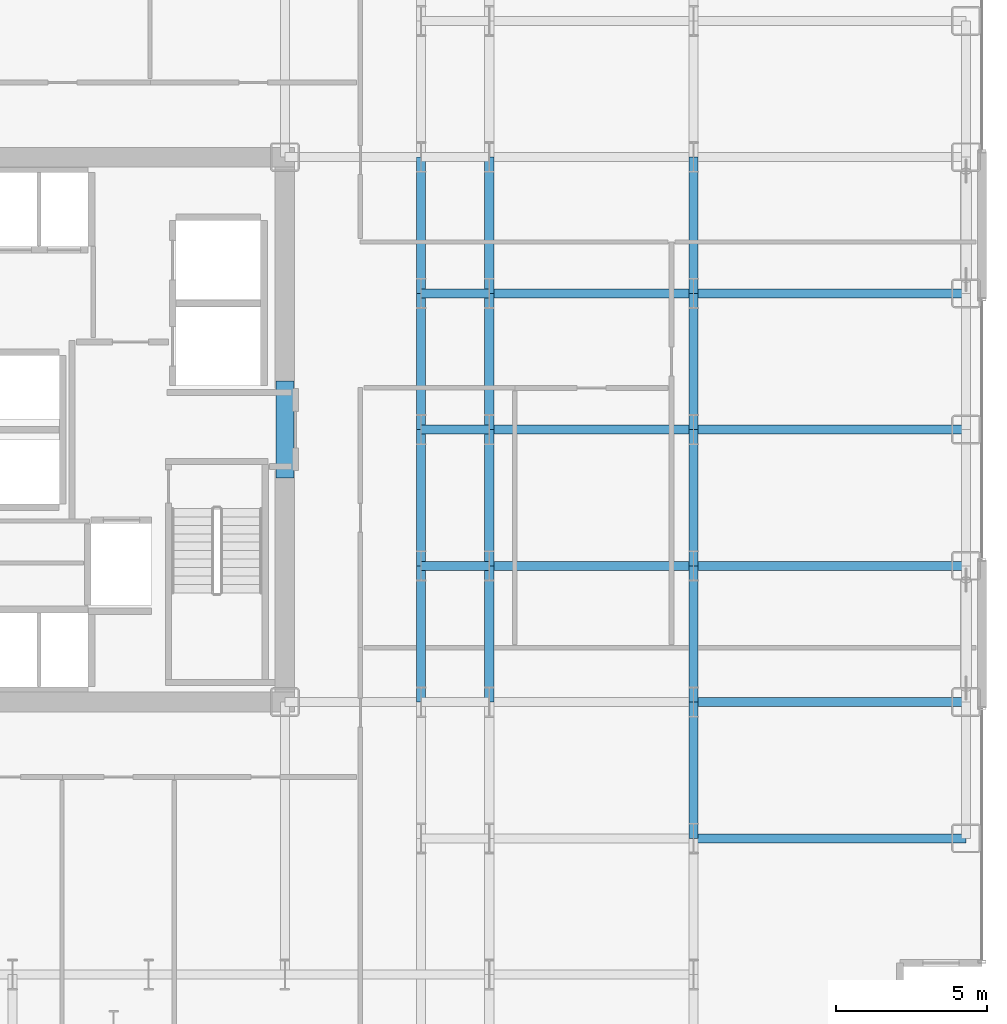
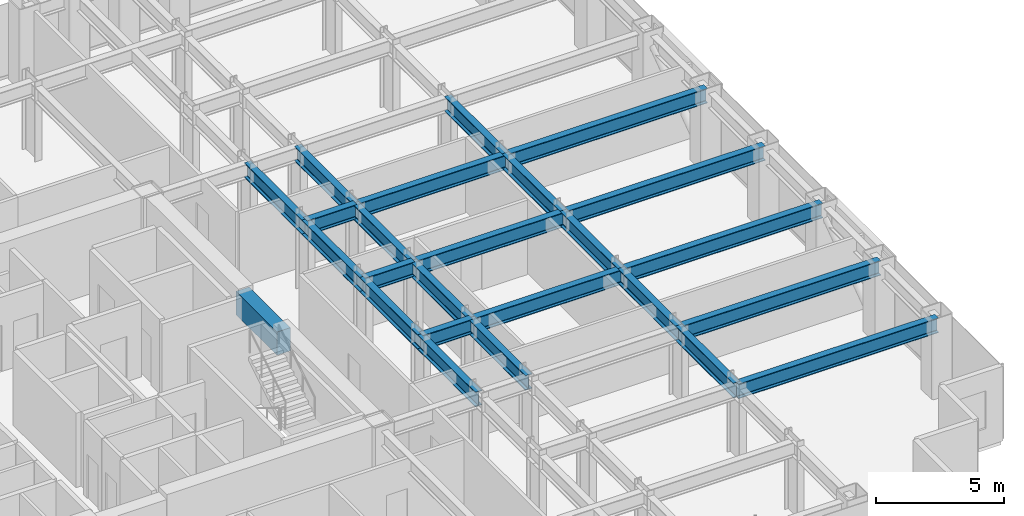
# One storey, part 10 of 29: 25 beams.
"""IFC4 building model written with IfcOpenShell, lengths in metres."""

from ifc_helpers import new_model, si_unit, direction, frame, origin, origin_2d, place, context, subcontext, project, spatial, rectangle, i_section, extrude, source, transform, mapped, material, material_profile, profile_set, type_object, element, save


model = new_model("IFC4")

# Units and contexts
model_context = context("Model", 3, precision=1e-05, world=origin(), true_north=direction((0.0, 1.0)))
body_context = subcontext(model_context, "Body", "Model", "MODEL_VIEW")
ifc_project = project(units=[si_unit("LENGTHUNIT", "METRE"), si_unit("AREAUNIT", "SQUARE_METRE"), si_unit("VOLUMEUNIT", "CUBIC_METRE"), si_unit("PLANEANGLEUNIT", "RADIAN"), si_unit("MASSUNIT", "GRAM", prefix="KILO")], contexts=[model_context])

# Site, building, storey
site_placement = place(None, origin())
site = spatial("IfcSite", under=ifc_project, at=site_placement, CompositionType="ELEMENT")
building_placement = place(site_placement, origin())
building = spatial("IfcBuilding", under=site, at=building_placement, Name="Nefas-Gora Pilgrimage Tower", CompositionType="ELEMENT")
storey_placement = place(building_placement, frame((0.0, 0.0, 44.39990234375)))
storey = spatial("IfcBuildingStorey", under=building, at=storey_placement, Name="L09", CompositionType="ELEMENT", Elevation=44.39990234375)

# Beams
ifc_material_1 = material(Name="Concrete C60/75", Category="concrete")
ifc_material_profile_1 = material_profile(ifc_material_1, rectangle(XDim=0.60009765625, YDim=1.10009765625, at=origin_2d()), Name="RC 600x1100")
ifc_profile_set_1 = profile_set([ifc_material_profile_1], Name="Concrete C60/75")
beam_type_1 = type_object("IfcBeamType", Name="BM-LIN-RC1100", PredefinedType="LINTEL", material=ifc_profile_set_1)
shared_shape_1 = source(origin(), body_context, "Body", "SweptSolid", [
    extrude(rectangle(XDim=0.60009765625, YDim=1.10009765625, at=origin_2d()), origin(), (0.0, 0.0, 1.0), 3.2001953125),
])
beam_placement = place(storey_placement, frame((11.25, -1.60009765625, 3.0), z_axis=(0.0, 1.0, 0.0), x_axis=(-1.0, 0.0, 0.0)))
element("IfcBeam", 1, at=beam_placement, inside=storey, type_object=beam_type_1, Name="L09 Core Coupling Lintel Beam E", PredefinedType="LINTEL", context=body_context, shape_type="MappedRepresentation", body=[
    mapped(shared_shape_1, transform((0.0, 0.0, 0.0), x_axis=(1.0, 0.0, 0.0), y_axis=(0.0, 1.0, 0.0), z_axis=(0.0, 0.0, 1.0), scale=1.0)),
])
ifc_material_2 = material(Name="Steel S355", Category="steel")
ifc_material_profile_2 = material_profile(ifc_material_2, i_section(OverallWidth=0.300048828125, OverallDepth=0.699951171875, WebThickness=0.01708984375, FlangeThickness=0.031982421875, FilletRadius=0.027099609375, at=origin_2d()), Name="HEB 700")
ifc_profile_set_2 = profile_set([ifc_material_profile_2], Name="Steel S355")
beam_type_2 = type_object("IfcBeamType", Name="BM-GIR-HEB700", PredefinedType="BEAM", material=ifc_profile_set_2)
shared_shape_2 = source(origin(), body_context, "Body", "SweptSolid", [
    extrude(i_section(OverallWidth=0.300048828125, OverallDepth=0.699951171875, WebThickness=0.01708984375, FlangeThickness=0.031982421875, FilletRadius=0.027099609375, at=origin_2d()), origin(), (0.0, 0.0, 1.0), 9.0),
])
for number, where, z_axis, x_axis, name in (
    (2, (24.75, -13.5, 3.2001953125), (1.0, 0.0, 0.0), (0.0, 1.0, 0.0), "L09 G-02 beam"),
    (3, (24.75, -9.0, 3.2001953125), (1.0, 0.0, 0.0), (0.0, 1.0, 0.0), "L09 G-02 beam"),
    (4, (24.75, -4.5, 3.2001953125), (1.0, 0.0, 0.0), (0.0, 1.0, 0.0), "L09 G-02 beam"),
    (5, (24.75, 0.0, 3.2001953125), (1.0, 0.0, 0.0), (0.0, 1.0, 0.0), "L09 G-02 beam"),
    (6, (24.75, 4.5, 3.2001953125), (1.0, 0.0, 0.0), (0.0, 1.0, 0.0), "L09 G-02 beam"),
):
    element("IfcBeam", number, at=place(storey_placement, frame(where, z_axis=z_axis, x_axis=x_axis)), inside=storey, type_object=beam_type_2, Name=name, PredefinedType="BEAM", context=body_context, shape_type="MappedRepresentation", body=[
        mapped(shared_shape_2, transform((0.0, 0.0, 0.0), x_axis=(1.0, 0.0, 0.0), y_axis=(0.0, 1.0, 0.0), z_axis=(0.0, 0.0, 1.0), scale=1.0)),
    ])
shared_shape_3 = source(origin(), body_context, "Body", "SweptSolid", [
    extrude(i_section(OverallWidth=0.300048828125, OverallDepth=0.699951171875, WebThickness=0.01708984375, FlangeThickness=0.031982421875, FilletRadius=0.027099609375, at=origin_2d()), origin(), (0.0, 0.0, 1.0), 4.5),
])
for number, where, z_axis, x_axis, name in (
    (7, (15.75, -9.0, 3.2001953125), (0.0, 1.0, 0.0), (-1.0, 0.0, 0.0), "L09 G-02 beam"),
    (8, (15.75, -4.5, 3.2001953125), (0.0, 1.0, 0.0), (-1.0, 0.0, 0.0), "L09 G-02 beam"),
    (9, (15.75, 0.0, 3.2001953125), (0.0, 1.0, 0.0), (-1.0, 0.0, 0.0), "L09 G-02 beam"),
    (10, (15.75, 4.5, 3.2001953125), (0.0, 1.0, 0.0), (-1.0, 0.0, 0.0), "L09 G-02 beam"),
    (11, (18.0, -9.0, 3.2001953125), (0.0, 1.0, 0.0), (-1.0, 0.0, 0.0), "L09 G-02 beam"),
    (12, (18.0, -4.5, 3.2001953125), (0.0, 1.0, 0.0), (-1.0, 0.0, 0.0), "L09 G-02 beam"),
    (13, (18.0, 0.0, 3.2001953125), (0.0, 1.0, 0.0), (-1.0, 0.0, 0.0), "L09 G-02 beam"),
    (14, (18.0, 4.5, 3.2001953125), (0.0, 1.0, 0.0), (-1.0, 0.0, 0.0), "L09 G-02 beam"),
    (15, (24.75, -13.5, 3.2001953125), (0.0, 1.0, 0.0), (-1.0, 0.0, 0.0), "L09 G-02 beam"),
    (16, (24.75, -9.0, 3.2001953125), (0.0, 1.0, 0.0), (-1.0, 0.0, 0.0), "L09 G-02 beam"),
    (17, (24.75, -4.5, 3.2001953125), (0.0, 1.0, 0.0), (-1.0, 0.0, 0.0), "L09 G-02 beam"),
    (18, (24.75, 0.0, 3.2001953125), (0.0, 1.0, 0.0), (-1.0, 0.0, 0.0), "L09 G-02 beam"),
    (19, (24.75, 4.5, 3.2001953125), (0.0, 1.0, 0.0), (-1.0, 0.0, 0.0), "L09 G-02 beam"),
):
    element("IfcBeam", number, at=place(storey_placement, frame(where, z_axis=z_axis, x_axis=x_axis)), inside=storey, type_object=beam_type_2, Name=name, PredefinedType="BEAM", context=body_context, shape_type="MappedRepresentation", body=[
        mapped(shared_shape_3, transform((0.0, 0.0, 0.0), x_axis=(1.0, 0.0, 0.0), y_axis=(0.0, 1.0, 0.0), z_axis=(0.0, 0.0, 1.0), scale=1.0)),
    ])
shared_shape_4 = source(origin(), body_context, "Body", "SweptSolid", [
    extrude(i_section(OverallWidth=0.300048828125, OverallDepth=0.699951171875, WebThickness=0.01708984375, FlangeThickness=0.031982421875, FilletRadius=0.027099609375, at=origin_2d()), origin(), (0.0, 0.0, 1.0), 6.75),
])
for number, where, z_axis, x_axis, name in (
    (20, (18.0, -4.5, 3.2001953125), (1.0, 0.0, 0.0), (0.0, 1.0, 0.0), "L09 G-02 beam"),
    (21, (18.0, 0.0, 3.2001953125), (1.0, 0.0, 0.0), (0.0, 1.0, 0.0), "L09 G-02 beam"),
    (22, (18.0, 4.5, 3.2001953125), (1.0, 0.0, 0.0), (0.0, 1.0, 0.0), "L09 G-02 beam"),
):
    element("IfcBeam", number, at=place(storey_placement, frame(where, z_axis=z_axis, x_axis=x_axis)), inside=storey, type_object=beam_type_2, Name=name, PredefinedType="BEAM", context=body_context, shape_type="MappedRepresentation", body=[
        mapped(shared_shape_4, transform((0.0, 0.0, 0.0), x_axis=(1.0, 0.0, 0.0), y_axis=(0.0, 1.0, 0.0), z_axis=(0.0, 0.0, 1.0), scale=1.0)),
    ])
shared_shape_5 = source(origin(), body_context, "Body", "SweptSolid", [
    extrude(i_section(OverallWidth=0.300048828125, OverallDepth=0.699951171875, WebThickness=0.01708984375, FlangeThickness=0.031982421875, FilletRadius=0.027099609375, at=origin_2d()), origin(), (0.0, 0.0, 1.0), 2.25),
])
for number, where, z_axis, x_axis, name in (
    (23, (15.75, -4.5, 3.2001953125), (1.0, 0.0, 0.0), (0.0, 1.0, 0.0), "L09 G-02 beam"),
    (24, (15.75, 0.0, 3.2001953125), (1.0, 0.0, 0.0), (0.0, 1.0, 0.0), "L09 G-02 beam"),
    (25, (15.75, 4.5, 3.2001953125), (1.0, 0.0, 0.0), (0.0, 1.0, 0.0), "L09 G-02 beam"),
):
    element("IfcBeam", number, at=place(storey_placement, frame(where, z_axis=z_axis, x_axis=x_axis)), inside=storey, type_object=beam_type_2, Name=name, PredefinedType="BEAM", context=body_context, shape_type="MappedRepresentation", body=[
        mapped(shared_shape_5, transform((0.0, 0.0, 0.0), x_axis=(1.0, 0.0, 0.0), y_axis=(0.0, 1.0, 0.0), z_axis=(0.0, 0.0, 1.0), scale=1.0)),
    ])

save(model, "model.ifc")
